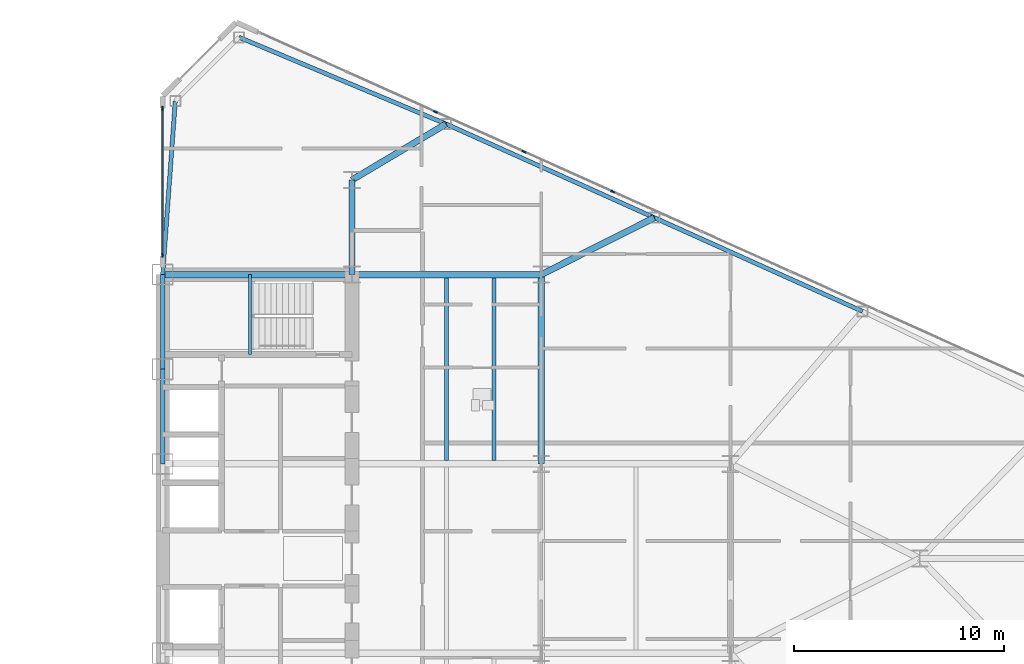
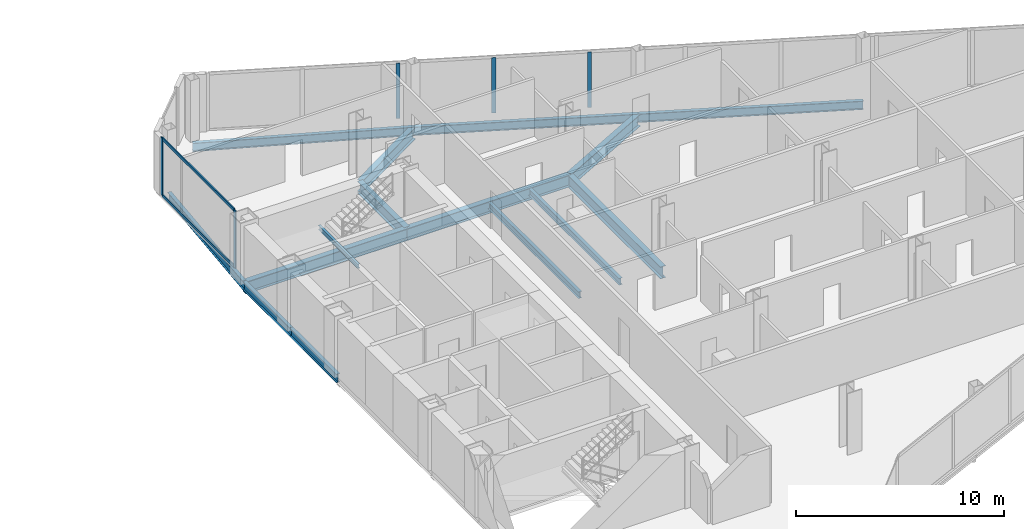
# One storey, part 13 of 27: 15 beams, 7 members, 2 elements without a shape of their own.
"""IFC4 building model written with IfcOpenShell, lengths in metres."""

from ifc_helpers import new_model, si_unit, direction, frame, origin, origin_2d, place, context, subcontext, project, spatial, rectangle, i_section, extrude, source, transform, mapped, material, layer, layer_set, material_profile, profile_set, type_object, type_shapes, element, aggregate, save


model = new_model("IFC4")

# Units and contexts
model_context = context("Model", 3, precision=1e-05, world=origin(), true_north=direction((0.0, 1.0)))
body_context = subcontext(model_context, "Body", "Model", "MODEL_VIEW")
ifc_project = project(units=[si_unit("LENGTHUNIT", "METRE"), si_unit("AREAUNIT", "SQUARE_METRE"), si_unit("VOLUMEUNIT", "CUBIC_METRE"), si_unit("PLANEANGLEUNIT", "RADIAN"), si_unit("MASSUNIT", "GRAM", prefix="KILO")], contexts=[model_context])

# Site, building, storey
site_placement = place(None, origin())
site = spatial("IfcSite", under=ifc_project, at=site_placement, CompositionType="ELEMENT")
building_placement = place(site_placement, origin())
building = spatial("IfcBuilding", under=site, at=building_placement, Name="Seokmaru Belvedere", CompositionType="ELEMENT")
storey_placement = place(building_placement, frame((0.0, 0.0, 69.300048828125)))
storey = spatial("IfcBuildingStorey", under=building, at=storey_placement, Name="L18", CompositionType="ELEMENT", Elevation=69.300048828125)

# Beams
ifc_material_1 = material(Name="Steel SM355 (355 MPa)", Category="steel")
ifc_material_profile_1 = material_profile(ifc_material_1, i_section(OverallWidth=0.199951171875, OverallDepth=0.5, WebThickness=0.010009765625, FlangeThickness=0.01611328125, at=origin_2d()), Name="H-500x200x10x16")
ifc_profile_set_1 = profile_set([ifc_material_profile_1], Name="Steel SM355 (355 MPa)")
beam_type_1 = type_object("IfcBeamType", Name="Perimeter Spandrel Beam H-500", PredefinedType="SPANDREL", material=ifc_profile_set_1)
shared_shape_1 = source(origin(), body_context, "Body", "SweptSolid", [
    extrude(i_section(OverallWidth=0.199951171875, OverallDepth=0.5, WebThickness=0.010009765625, FlangeThickness=0.01611328125, at=origin_2d()), origin(), (0.0, 0.0, 1.0), 4.5),
])
for number, where, z_axis, x_axis, name in (
    (1, (27.5, 4.5, -0.469970703125), (0.0, 1.0, 0.0), (-1.0, 0.0, 0.0), "L18 E Portal Spine Spandrel 4"),
    (2, (27.5, 9.0, -0.469970703125), (0.0, 1.0, 0.0), (-1.0, 0.0, 0.0), "L18 E Portal Spine Spandrel 5"),
):
    element("IfcBeam", number, at=place(storey_placement, frame(where, z_axis=z_axis, x_axis=x_axis)), inside=storey, type_object=beam_type_1, Name=name, PredefinedType="SPANDREL", context=body_context, shape_type="MappedRepresentation", body=[
        mapped(shared_shape_1, transform((0.0, 0.0, 0.0), scale=1.0)),
    ])
ifc_material_profile_2 = material_profile(ifc_material_1, i_section(OverallWidth=0.300048828125, OverallDepth=0.699951171875, WebThickness=0.012939453125, FlangeThickness=0.02392578125, at=origin_2d()), Name="H-700x300x13x24")
ifc_profile_set_2 = profile_set([ifc_material_profile_2], Name="Steel SM355 (355 MPa)")
beam_type_2 = type_object("IfcBeamType", Name="Primary Floor Girder H-700", PredefinedType="BEAM", material=ifc_profile_set_2)
shared_shape_2 = source(origin(), body_context, "Body", "SweptSolid", [
    extrude(i_section(OverallWidth=0.300048828125, OverallDepth=0.699951171875, WebThickness=0.012939453125, FlangeThickness=0.02392578125, at=origin_2d()), origin(), (0.0, 0.0, 1.0), 4.5),
])
beam_1_placement = place(storey_placement, frame((36.5, 13.5, -0.570068359375), z_axis=(0.0, 1.0, 0.0), x_axis=(-1.0, 0.0, 0.0)))
element("IfcBeam", 3, at=beam_1_placement, inside=storey, type_object=beam_type_2, Name="L18 E Core Shoulder Girder N", PredefinedType="BEAM", context=body_context, shape_type="MappedRepresentation", body=[
    mapped(shared_shape_2, transform((0.0, 0.0, 0.0), scale=1.0)),
])
shared_shape_3 = source(origin(), body_context, "Body", "SweptSolid", [
    extrude(i_section(OverallWidth=0.300048828125, OverallDepth=0.699951171875, WebThickness=0.012939453125, FlangeThickness=0.02392578125, at=origin_2d()), origin(), (0.0, 0.0, 1.0), 9.0),
])
for number, where, z_axis, x_axis, name in (
    (4, (45.5, 4.5, -0.570068359375), (0.0, 1.0, 0.0), (-1.0, 0.0, 0.0), "L18 E Interior Grid Girder 3"),
    (5, (27.5, 13.5, -0.570068359375), (1.0, 0.0, 0.0), (0.0, 1.0, 0.0), "L18 E Core Tie Girder 4"),
    (6, (36.5, 13.5, -0.570068359375), (1.0, 0.0, 0.0), (0.0, 1.0, 0.0), "L18 E Wing Primary Girder 4"),
):
    element("IfcBeam", number, at=place(storey_placement, frame(where, z_axis=z_axis, x_axis=x_axis)), inside=storey, type_object=beam_type_2, Name=name, PredefinedType="BEAM", context=body_context, shape_type="MappedRepresentation", body=[
        mapped(shared_shape_3, transform((0.0, 0.0, 0.0), scale=1.0)),
    ])
ifc_material_profile_3 = material_profile(ifc_material_1, i_section(OverallWidth=0.18505859375, OverallDepth=0.389892578125, WebThickness=0.008056640625, FlangeThickness=0.011962890625, at=origin_2d()), Name="H-390x185x8x12")
ifc_profile_set_3 = profile_set([ifc_material_profile_3], Name="Steel SM355 (355 MPa)")
beam_type_3 = type_object("IfcBeamType", Name="Secondary Floor Joist H-350", PredefinedType="JOIST", material=ifc_profile_set_3)
shared_shape_4 = source(origin(), body_context, "Body", "SweptSolid", [
    extrude(i_section(OverallWidth=0.18505859375, OverallDepth=0.389892578125, WebThickness=0.008056640625, FlangeThickness=0.011962890625, at=origin_2d()), origin(), (0.0, 0.0, 1.0), 8.68994140625),
])
type_shapes(beam_type_3, [shared_shape_4])
for number, where, z_axis, x_axis, name in (
    (7, (43.25, 4.655029296875, -0.4150390625), (0.0, 1.0, 0.0), (-1.0, 0.0, 0.0), "L18 E Wing Inner Secondary Joist 2"),
    (8, (41.0, 4.655029296875, -0.4150390625), (0.0, 1.0, 0.0), (-1.0, 0.0, 0.0), "L18 E Secondary Floor Joist 3"),
):
    element("IfcBeam", number, at=place(storey_placement, frame(where, z_axis=z_axis, x_axis=x_axis)), inside=storey, type_object=beam_type_3, Name=name, PredefinedType="JOIST", context=body_context, shape_type="MappedRepresentation", body=[
        mapped(shared_shape_4, transform((0.0, 0.0, 0.0), scale=1.0)),
    ])
shared_shape_5 = source(origin(), body_context, "Body", "SweptSolid", [
    extrude(i_section(OverallWidth=0.199951171875, OverallDepth=0.5, WebThickness=0.010009765625, FlangeThickness=0.01611328125, at=origin_2d()), origin(), (0.0, 0.0, 1.0), 10.66943359375),
])
beam_2_placement = place(storey_placement, frame((31.13134765625, 24.782958984375, -0.469970703125), z_axis=(0.922375393128, -0.386294750355, 0.0), x_axis=(0.386294750355, 0.922375393128, 0.0)))
element("IfcBeam", 9, at=beam_2_placement, inside=storey, type_object=beam_type_1, Name="L18 E Faceted Flank Spandrel N-1", PredefinedType="SPANDREL", context=body_context, shape_type="MappedRepresentation", body=[
    mapped(shared_shape_5, transform((0.0, 0.0, 0.0), scale=1.0)),
])
shared_shape_6 = source(origin(), body_context, "Body", "SweptSolid", [
    extrude(i_section(OverallWidth=0.199951171875, OverallDepth=0.5, WebThickness=0.010009765625, FlangeThickness=0.01611328125, at=origin_2d()), origin(), (0.0, 0.0, 1.0), 10.85888671875),
])
for number, where, z_axis, x_axis, name in (
    (10, (40.97265625, 20.661376953125, -0.469970703125), (0.911921505175, -0.410364677329, 0.0), (0.410364677329, 0.911921505175, 0.0), "L18 E Faceted Flank Spandrel N-2"),
    (11, (50.875, 16.205322265625, -0.469970703125), (0.911925291223, -0.410356263785, 0.0), (0.410356263785, 0.911925291223, 0.0), "L18 E Faceted Flank Spandrel N-3"),
):
    element("IfcBeam", number, at=place(storey_placement, frame(where, z_axis=z_axis, x_axis=x_axis)), inside=storey, type_object=beam_type_1, Name=name, PredefinedType="SPANDREL", context=body_context, shape_type="MappedRepresentation", body=[
        mapped(shared_shape_6, transform((0.0, 0.0, 0.0), scale=1.0)),
    ])
shared_shape_7 = source(origin(), body_context, "Body", "SweptSolid", [
    extrude(i_section(OverallWidth=0.199951171875, OverallDepth=0.5, WebThickness=0.010009765625, FlangeThickness=0.01611328125, at=origin_2d()), origin(), (0.0, 0.0, 1.0), 8.273193359375),
])
type_shapes(beam_type_1, [shared_shape_1, shared_shape_5, shared_shape_6, shared_shape_7])
beam_3_placement = place(storey_placement, frame((28.10009765625, 21.75146484375, -0.469970703125), z_axis=(-0.072534628348, -0.99736589459, 0.0), x_axis=(0.99736589459, -0.072534628348, 0.0)))
element("IfcBeam", 12, at=beam_3_placement, inside=storey, type_object=beam_type_1, Name="L18 E Shoulder Spine Spandrel N", PredefinedType="SPANDREL", context=body_context, shape_type="MappedRepresentation", body=[
    mapped(shared_shape_7, transform((0.0, 0.0, 0.0), scale=1.0)),
])
shared_shape_8 = source(origin(), body_context, "Body", "SweptSolid", [
    extrude(i_section(OverallWidth=0.300048828125, OverallDepth=0.699951171875, WebThickness=0.012939453125, FlangeThickness=0.02392578125, at=origin_2d()), origin(), (0.0, 0.0, 1.0), 5.20458984375),
])
beam_4_placement = place(storey_placement, frame((40.97265625, 20.661376953125, -0.570068359375), z_axis=(-0.859370434188, -0.511353553662, 0.0), x_axis=(0.511353553662, -0.859370434188, 0.0)))
element("IfcBeam", 13, at=beam_4_placement, inside=storey, type_object=beam_type_2, Name="L18 E Flank Radial Floor Girder N-1", PredefinedType="BEAM", context=body_context, shape_type="MappedRepresentation", body=[
    mapped(shared_shape_8, transform((0.0, 0.0, 0.0), scale=1.0)),
])
shared_shape_9 = source(origin(), body_context, "Body", "SweptSolid", [
    extrude(i_section(OverallWidth=0.300048828125, OverallDepth=0.699951171875, WebThickness=0.012939453125, FlangeThickness=0.02392578125, at=origin_2d()), origin(), (0.0, 0.0, 1.0), 6.017333984375),
])
type_shapes(beam_type_2, [shared_shape_2, shared_shape_3, shared_shape_8, shared_shape_9])
beam_5_placement = place(storey_placement, frame((50.875, 16.205322265625, -0.570068359375), z_axis=(-0.893239341975, -0.449581447512, 0.0), x_axis=(0.449581447512, -0.893239341975, 0.0)))
element("IfcBeam", 14, at=beam_5_placement, inside=storey, type_object=beam_type_2, Name="L18 E Flank Radial Floor Girder N-2", PredefinedType="BEAM", context=body_context, shape_type="MappedRepresentation", body=[
    mapped(shared_shape_9, transform((0.0, 0.0, 0.0), scale=1.0)),
])

# Curtain wall, members
ifc_material_2 = material(Name="Bronze Triple Insulating Glass", Category="glass")
ifc_layer = layer(ifc_material_2, 0.195068359375)
ifc_layer_set = layer_set([ifc_layer], Name="Bronze Triple Insulating Glass")
curtain_wall_type = type_object("IfcCurtainWallType", Name="Lower-Mid Tapered Curtain Wall System CW-3", PredefinedType="NOTDEFINED", material=ifc_layer_set)
curtain_wall_1_placement = place(storey_placement, origin())
curtain_wall_1 = element("IfcCurtainWall", 15, at=curtain_wall_1_placement, inside=storey, type_object=curtain_wall_type, Name="L18 Curtain Wall ESP_2", PredefinedType="NOTDEFINED")
ifc_material_3 = material(Name="Anodised Bronze Aluminium", Category="aluminium")
ifc_material_profile_4 = material_profile(ifc_material_3, rectangle(XDim=0.070068359375, YDim=0.195068359375, at=origin_2d()), Name="CW-M-70x195")
ifc_profile_set_4 = profile_set([ifc_material_profile_4], Name="Anodised Bronze Aluminium")
member_type_1 = type_object("IfcMemberType", Name="Bronze Unitised Mullion 70x195", PredefinedType="MULLION", material=ifc_profile_set_4)
shared_shape_10 = source(origin(), body_context, "Body", "SweptSolid", [
    extrude(rectangle(XDim=0.070068359375, YDim=0.195068359375, at=origin_2d()), origin(), (0.0, 0.0, 1.0), 3.3798828125),
])
member_1_placement = place(storey_placement, frame((27.5, 21.39501953125, 0.0), z_axis=(0.0, 0.0, 1.0), x_axis=(1.0, 0.0, 0.0)))
member_1 = element("IfcMember", 16, at=member_1_placement, type_object=member_type_1, Name="CW:L18:ESP_2 Mullion 1", PredefinedType="MULLION", context=body_context, shape_type="MappedRepresentation", body=[
    mapped(shared_shape_10, transform((0.0, 0.0, 0.0), scale=1.0)),
])
member_2_placement = place(storey_placement, frame((27.5, 14.4150390625, 0.0), z_axis=(0.0, 0.0, 1.0), x_axis=(1.0, 0.0, 0.0)))
member_2 = element("IfcMember", 17, at=member_2_placement, type_object=member_type_1, Name="CW:L18:ESP_2 Mullion 2", PredefinedType="MULLION", context=body_context, shape_type="MappedRepresentation", body=[
    mapped(shared_shape_10, transform((0.0, 0.0, 0.0), scale=1.0)),
])
ifc_material_profile_5 = material_profile(ifc_material_3, rectangle(XDim=0.070068359375, YDim=0.1650390625, at=origin_2d()), Name="CW-T-70x165")
ifc_profile_set_5 = profile_set([ifc_material_profile_5], Name="Anodised Bronze Aluminium")
member_type_2 = type_object("IfcMemberType", Name="Bronze Unitised Transom 70x165", PredefinedType="USERDEFINED", material=ifc_profile_set_5)
shared_shape_11 = source(origin(), body_context, "Body", "SweptSolid", [
    extrude(rectangle(XDim=0.070068359375, YDim=0.1650390625, at=origin_2d()), origin(), (0.0, 0.0, 1.0), 6.91015625),
])
type_shapes(member_type_2, [shared_shape_11])
member_3_placement = place(storey_placement, frame((27.5, 21.360107421875, 0.034912109375), z_axis=(0.0, -1.0, 0.0), x_axis=(1.0, 0.0, 0.0)))
member_3 = element("IfcMember", 18, at=member_3_placement, type_object=member_type_2, Name="CW:L18:ESP_2 Continuous Transom 1", ObjectType="TRANSOM", PredefinedType="USERDEFINED", context=body_context, shape_type="MappedRepresentation", body=[
    mapped(shared_shape_11, transform((0.0, 0.0, 0.0), scale=1.0)),
])
member_4_placement = place(storey_placement, frame((27.5, 21.360107421875, 3.344970703125), z_axis=(0.0, -1.0, 0.0), x_axis=(1.0, 0.0, 0.0)))
member_4 = element("IfcMember", 19, at=member_4_placement, type_object=member_type_2, Name="CW:L18:ESP_2 Continuous Transom 2", ObjectType="TRANSOM", PredefinedType="USERDEFINED", context=body_context, shape_type="MappedRepresentation", body=[
    mapped(shared_shape_11, transform((0.0, 0.0, 0.0), scale=1.0)),
])
aggregate(curtain_wall_1, [member_1, member_2, member_3, member_4])

curtain_wall_2_placement = place(storey_placement, origin())
curtain_wall_2 = element("IfcCurtainWall", 20, at=curtain_wall_2_placement, inside=storey, type_object=curtain_wall_type, Name="L18 Curtain Wall EF3", PredefinedType="NOTDEFINED")
shared_shape_12 = source(origin(), body_context, "Body", "SweptSolid", [
    extrude(rectangle(XDim=0.070068359375, YDim=0.195068359375, at=origin_2d()), origin(), (0.0, 0.0, 1.0), 3.239990234375),
])
type_shapes(member_type_1, [shared_shape_10, shared_shape_12])
member_5_placement = place(storey_placement, frame((48.894287109375, 17.447509765625, 0.070068359375), z_axis=(0.0, 0.0, 1.0), x_axis=(-0.41036554765, -0.91192111353, 0.0)))
member_5 = element("IfcMember", 21, at=member_5_placement, type_object=member_type_1, Name="CW:L18:EF3 Mullion 6", PredefinedType="MULLION", context=body_context, shape_type="MappedRepresentation", body=[
    mapped(shared_shape_12, transform((0.0, 0.0, 0.0), scale=1.0)),
])
member_6_placement = place(storey_placement, frame((44.682861328125, 19.3427734375, 0.070068359375), z_axis=(0.0, 0.0, 1.0), x_axis=(-0.41036554765, -0.91192111353, 0.0)))
member_6 = element("IfcMember", 22, at=member_6_placement, type_object=member_type_1, Name="CW:L18:EF3 Mullion 7", PredefinedType="MULLION", context=body_context, shape_type="MappedRepresentation", body=[
    mapped(shared_shape_12, transform((0.0, 0.0, 0.0), scale=1.0)),
])
member_7_placement = place(storey_placement, frame((40.471435546875, 21.23779296875, 0.070068359375), z_axis=(0.0, 0.0, 1.0), x_axis=(-0.41036554765, -0.91192111353, 0.0)))
member_7 = element("IfcMember", 23, at=member_7_placement, type_object=member_type_1, Name="CW:L18:EF3 Mullion 8", PredefinedType="MULLION", context=body_context, shape_type="MappedRepresentation", body=[
    mapped(shared_shape_12, transform((0.0, 0.0, 0.0), scale=1.0)),
])
aggregate(curtain_wall_2, [member_5, member_6, member_7])

# Beam
ifc_material_profile_6 = material_profile(ifc_material_1, i_section(OverallWidth=0.125, OverallDepth=0.25, WebThickness=0.006103515625, FlangeThickness=0.009033203125, at=origin_2d()), Name="H-250x125x6x9")
ifc_profile_set_6 = profile_set([ifc_material_profile_6], Name="Steel SM355 (355 MPa)")
beam_type_4 = type_object("IfcBeamType", Name="Stair Mid-Landing Support Beam H-250", PredefinedType="JOIST", material=ifc_profile_set_6)
shared_shape_13 = source(origin(), body_context, "Body", "SweptSolid", [
    extrude(i_section(OverallWidth=0.125, OverallDepth=0.25, WebThickness=0.006103515625, FlangeThickness=0.009033203125, at=origin_2d()), origin(), (0.0, 0.0, 1.0), 3.800048828125),
])
type_shapes(beam_type_4, [shared_shape_13])
beam_6_placement = place(storey_placement, frame((31.64990234375, 9.699951171875, 1.474853515625), z_axis=(0.0, 1.0, 0.0), x_axis=(-1.0, 0.0, 0.0)))
element("IfcBeam", 24, at=beam_6_placement, inside=storey, type_object=beam_type_4, Name="L18 Stair ST-E2 Mid-Landing Support Beam 1", PredefinedType="JOIST", context=body_context, shape_type="MappedRepresentation", body=[
    mapped(shared_shape_13, transform((0.0, 0.0, 0.0), scale=1.0)),
])

save(model, "model.ifc")
